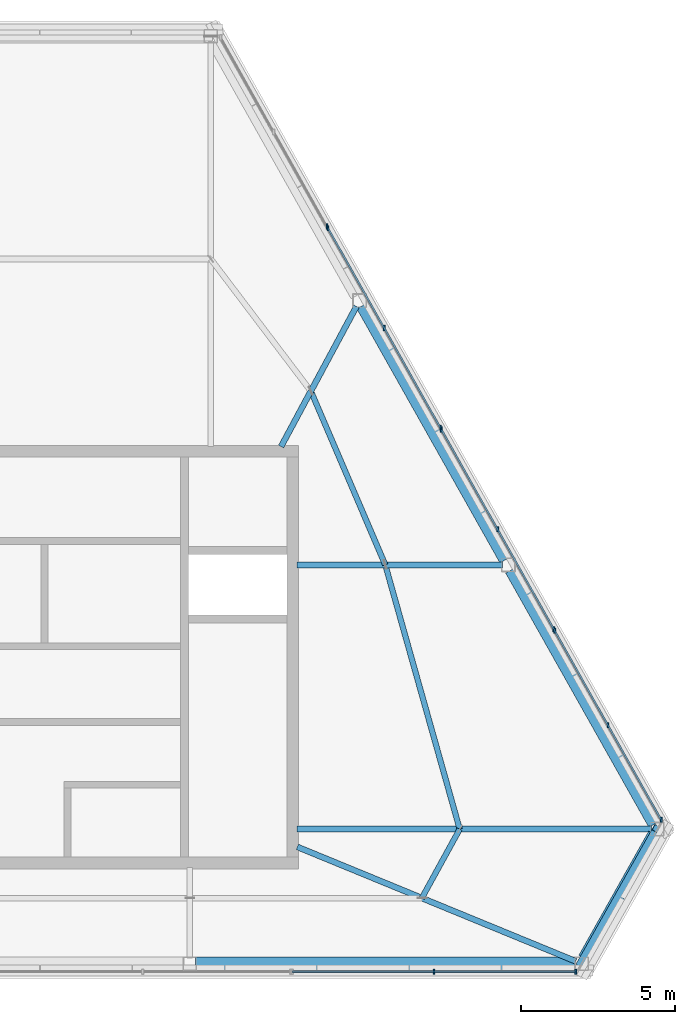
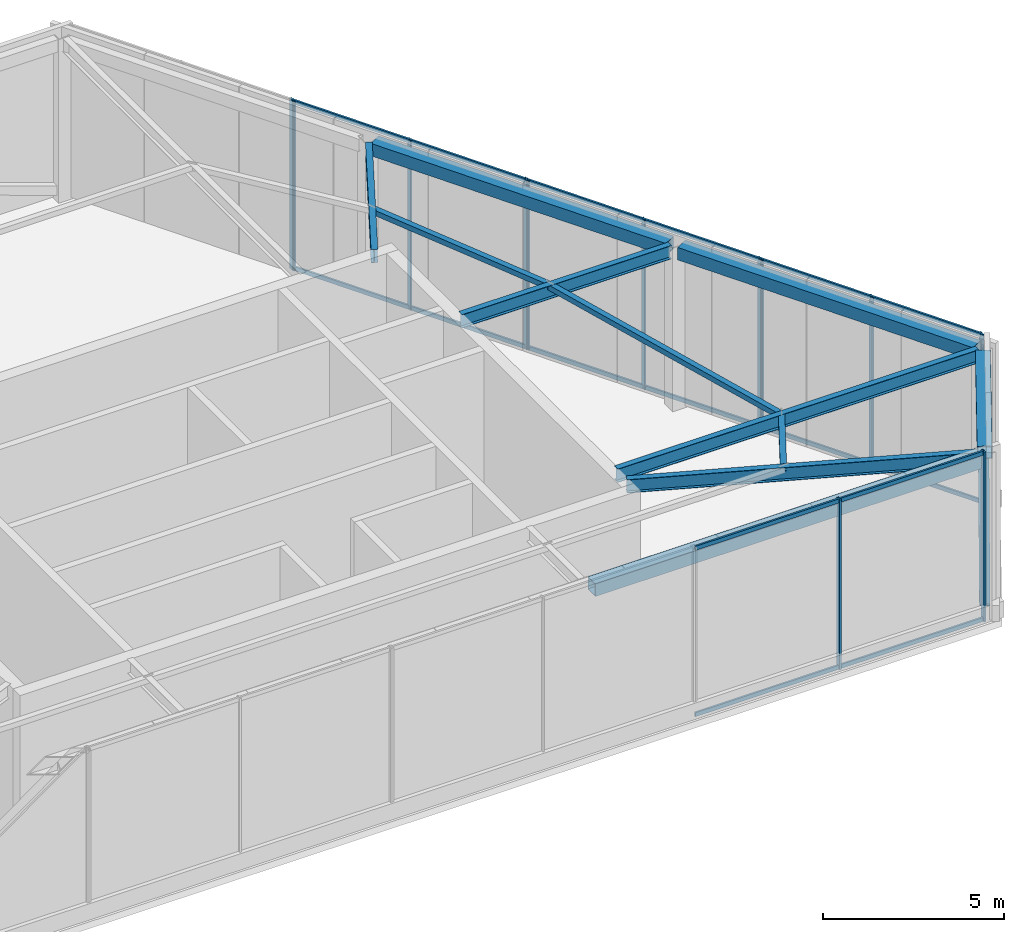
# One storey, part 5 of 12: 24 members, 8 beams, 5 elements without a shape of their own.
"""IFC4 building model written with IfcOpenShell, lengths in metres."""

from ifc_helpers import new_model, si_unit, direction, frame, origin, origin_2d, place, context, subcontext, project, spatial, rectangle, hollow_rectangle, i_section, extrude, material, layer, layer_set, material_profile, profile_set, type_object, element, aggregate, save


model = new_model("IFC4")

# Units and contexts
model_context = context("Model", 3, precision=1e-05, world=origin(), true_north=direction((0.0, 1.0)))
body_context = subcontext(model_context, "Body", "Model", "MODEL_VIEW")
ifc_project = project(units=[si_unit("LENGTHUNIT", "METRE"), si_unit("AREAUNIT", "SQUARE_METRE"), si_unit("VOLUMEUNIT", "CUBIC_METRE"), si_unit("PLANEANGLEUNIT", "RADIAN"), si_unit("MASSUNIT", "GRAM", prefix="KILO")], contexts=[model_context])

# Site, building, storey
site_placement = place(None, origin())
site = spatial("IfcSite", under=ifc_project, at=site_placement, CompositionType="ELEMENT")
building_placement = place(site_placement, origin())
building = spatial("IfcBuilding", under=site, at=building_placement, Name="Kavelnor Concourse Tower", CompositionType="ELEMENT")
storey_placement = place(building_placement, frame((0.0, 0.0, 315.699951171875)))
storey = spatial("IfcBuildingStorey", under=building, at=storey_placement, Name="L79", CompositionType="ELEMENT", Elevation=315.699951171875)

# Beams
ifc_material_1 = material(Name="Steel Grade 350", Category="steel")
ifc_material_profile_1 = material_profile(ifc_material_1, hollow_rectangle(XDim=0.419921875, YDim=0.419921875, WallThickness=0.02001953125, at=origin_2d()), Name="RHS 420x420x20")
ifc_profile_set_1 = profile_set([ifc_material_profile_1], Name="Steel Grade 350")
beam_type_1 = type_object("IfcBeamType", Name="BM-CROWN-CAP-420", PredefinedType="BEAM", material=ifc_profile_set_1)
beam_1_placement = place(storey_placement, frame((44.556396484375, 6.135009765625, 5.31005859375), z_axis=(1.0, 0.0, 0.0), x_axis=(0.0, 1.0, 0.0)))
element("IfcBeam", 1, at=beam_1_placement, inside=storey, type_object=beam_type_1, Name="L79 Crown Frame Cap Ring Beam 07", PredefinedType="BEAM", context=body_context, shape_type="SweptSolid", body=[
    extrude(hollow_rectangle(XDim=0.419921875, YDim=0.419921875, WallThickness=0.02001953125, at=origin_2d()), origin(), (0.0, 0.0, 1.0), 12.353271484375),
])
beam_2_placement = place(storey_placement, frame((57.19287109375, 6.300537109375, 5.31005859375), z_axis=(0.490715989154, 0.871319584302, 0.0), x_axis=(-0.871319584302, 0.490715989154, 0.0)))
element("IfcBeam", 2, at=beam_2_placement, inside=storey, type_object=beam_type_1, Name="L79 Crown Frame Cap Ring Beam 08", PredefinedType="BEAM", context=body_context, shape_type="SweptSolid", body=[
    extrude(hollow_rectangle(XDim=0.419921875, YDim=0.419921875, WallThickness=0.02001953125, at=origin_2d()), origin(), (0.0, 0.0, 1.0), 4.638427734375),
])
beam_3_placement = place(storey_placement, frame((59.468994140625, 10.673095703125, 5.31005859375), z_axis=(-0.490736882662, 0.871307817017, 0.0), x_axis=(-0.871307817017, -0.490736882662, 0.0)))
element("IfcBeam", 3, at=beam_3_placement, inside=storey, type_object=beam_type_1, Name="L79 Crown Frame Cap Ring Beam 09", PredefinedType="BEAM", context=body_context, shape_type="SweptSolid", body=[
    extrude(hollow_rectangle(XDim=0.419921875, YDim=0.419921875, WallThickness=0.02001953125, at=origin_2d()), origin(), (0.0, 0.0, 1.0), 9.478271484375),
])
beam_4_placement = place(storey_placement, frame((54.63134765625, 19.2626953125, 5.31005859375), z_axis=(-0.490747896448, 0.871301613755, 0.0), x_axis=(-0.871301613755, -0.490747896448, 0.0)))
element("IfcBeam", 4, at=beam_4_placement, inside=storey, type_object=beam_type_1, Name="L79 Crown Frame Cap Ring Beam 10", PredefinedType="BEAM", context=body_context, shape_type="SweptSolid", body=[
    extrude(hollow_rectangle(XDim=0.419921875, YDim=0.419921875, WallThickness=0.02001953125, at=origin_2d()), origin(), (0.0, 0.0, 1.0), 9.47802734375),
])
ifc_material_profile_2 = material_profile(ifc_material_1, i_section(OverallWidth=0.18994140625, OverallDepth=0.4541015625, WebThickness=0.008544921875, FlangeThickness=0.0126953125, at=origin_2d()), Name="460UB67")
ifc_profile_set_2 = profile_set([ifc_material_profile_2], Name="Steel Grade 350")
beam_type_2 = type_object("IfcBeamType", Name="BM-PRIMARY-460", PredefinedType="BEAM", material=ifc_profile_set_2)
beam_5_placement = place(storey_placement, frame((47.863037109375, 9.930419921875, 5.29296875), z_axis=(0.924961076242, -0.380061846858, 0.0), x_axis=(0.380061846858, 0.924961076242, 0.0)))
element("IfcBeam", 5, at=beam_5_placement, inside=storey, type_object=beam_type_2, Name="L79 Crown Frame Radial Girder F1B6", PredefinedType="BEAM", context=body_context, shape_type="SweptSolid", body=[
    extrude(i_section(OverallWidth=0.18994140625, OverallDepth=0.4541015625, WebThickness=0.008544921875, FlangeThickness=0.0126953125, at=origin_2d()), origin(), (0.0, 0.0, 1.0), 9.78271484375),
])
beam_6_placement = place(storey_placement, frame((47.860107421875, 10.507568359375, 5.29296875), z_axis=(1.0, 0.0, 0.0), x_axis=(0.0, 1.0, 0.0)))
element("IfcBeam", 6, at=beam_6_placement, inside=storey, type_object=beam_type_2, Name="L79 Crown Frame Radial Girder F2B0", PredefinedType="BEAM", context=body_context, shape_type="SweptSolid", body=[
    extrude(i_section(OverallWidth=0.18994140625, OverallDepth=0.4541015625, WebThickness=0.008544921875, FlangeThickness=0.0126953125, at=origin_2d()), origin(), (0.0, 0.0, 1.0), 11.51708984375),
])
beam_7_placement = place(storey_placement, frame((47.860107421875, 19.09716796875, 5.29296875), z_axis=(1.0, 0.0, 0.0), x_axis=(0.0, 1.0, 0.0)))
element("IfcBeam", 7, at=beam_7_placement, inside=storey, type_object=beam_type_2, Name="L79 Crown Frame Radial Girder F2B2", PredefinedType="BEAM", context=body_context, shape_type="SweptSolid", body=[
    extrude(i_section(OverallWidth=0.18994140625, OverallDepth=0.4541015625, WebThickness=0.008544921875, FlangeThickness=0.0126953125, at=origin_2d()), origin(), (0.0, 0.0, 1.0), 6.679443359375),
])
beam_8_placement = place(storey_placement, frame((47.3359375, 22.94482421875, 5.29296875), z_axis=(0.473747703751, 0.880660611808, 0.0), x_axis=(-0.880660611808, 0.473747703751, 0.0)))
element("IfcBeam", 8, at=beam_8_placement, inside=storey, type_object=beam_type_2, Name="L79 Crown Frame Radial Girder F2B4", PredefinedType="BEAM", context=body_context, shape_type="SweptSolid", body=[
    extrude(i_section(OverallWidth=0.18994140625, OverallDepth=0.4541015625, WebThickness=0.008544921875, FlangeThickness=0.0126953125, at=origin_2d()), origin(), (0.0, 0.0, 1.0), 5.1689453125),
])

# Curtain wall, members
ifc_material_2 = material(Name="Anodised aluminium 6063-T6", Category="aluminium")
ifc_layer = layer(ifc_material_2, 0.1650390625, Name="Anodised aluminium 6063-T6")
ifc_layer_set = layer_set([ifc_layer], Name="Anodised aluminium 6063-T6")
curtain_wall_type = type_object("IfcCurtainWallType", Name="CW-CROWN-SCREEN", PredefinedType="NOTDEFINED", material=ifc_layer_set)
curtain_wall_1_placement = place(storey_placement, origin())
curtain_wall_1 = element("IfcCurtainWall", 9, at=curtain_wall_1_placement, inside=storey, type_object=curtain_wall_type, Name="L79 Crown Fritted Screen Curtain Wall E3-S4", PredefinedType="NOTDEFINED")
ifc_material_profile_3 = material_profile(ifc_material_2, rectangle(XDim=0.06005859375, YDim=0.1650390625, at=origin_2d()), Name="AL-MULL 60x165")
ifc_profile_set_3 = profile_set([ifc_material_profile_3], Name="Anodised aluminium 6063-T6")
member_type_1 = type_object("IfcMemberType", Name="CW-CROWN-SCREEN-MULL", PredefinedType="MULLION", material=ifc_profile_set_3)
member_1_placement = place(storey_placement, frame((52.30517578125, 5.875, 0.0), z_axis=(0.0, 0.0, 1.0), x_axis=(1.0, 0.0, 0.0)))
member_1 = element("IfcMember", 10, at=member_1_placement, type_object=member_type_1, Name="L79 Crown Fritted Screen Curtain Wall E3-S4 Mullion 1", PredefinedType="MULLION", context=body_context, shape_type="SweptSolid", body=[
    extrude(rectangle(XDim=0.06005859375, YDim=0.1650390625, at=origin_2d()), origin(), (0.0, 0.0, 1.0), 5.72998046875),
])
member_2_placement = place(storey_placement, frame((56.91015625, 5.875, 0.0), z_axis=(0.0, 0.0, 1.0), x_axis=(1.0, 0.0, 0.0)))
member_2 = element("IfcMember", 11, at=member_2_placement, type_object=member_type_1, Name="L79 Crown Fritted Screen Curtain Wall E3-S4 Mullion 2", PredefinedType="MULLION", context=body_context, shape_type="SweptSolid", body=[
    extrude(rectangle(XDim=0.06005859375, YDim=0.1650390625, at=origin_2d()), origin(), (0.0, 0.0, 1.0), 5.72998046875),
])

curtain_wall_2_placement = place(storey_placement, origin())
curtain_wall_2 = element("IfcCurtainWall", 12, at=curtain_wall_2_placement, inside=storey, type_object=curtain_wall_type, Name="L79 Crown Fritted Screen Curtain Wall E5-S1", PredefinedType="NOTDEFINED")
member_3_placement = place(storey_placement, frame((59.69091796875, 10.80908203125, 0.0), z_axis=(0.0, 0.0, 1.0), x_axis=(1.0, 0.0, 0.0)))
member_3 = element("IfcMember", 13, at=member_3_placement, type_object=member_type_1, Name="L79 Crown Fritted Screen Curtain Wall E5-S1 Mullion 0", PredefinedType="MULLION", context=body_context, shape_type="SweptSolid", body=[
    extrude(rectangle(XDim=0.06005859375, YDim=0.1650390625, at=origin_2d()), origin(), (0.0, 0.0, 1.0), 5.72998046875),
])
member_4_placement = place(storey_placement, frame((57.960693359375, 13.881103515625, 0.0), z_axis=(0.0, 0.0, 1.0), x_axis=(1.0, 0.0, 0.0)))
member_4 = element("IfcMember", 14, at=member_4_placement, type_object=member_type_1, Name="L79 Crown Fritted Screen Curtain Wall E5-S1 Mullion 1", PredefinedType="MULLION", context=body_context, shape_type="SweptSolid", body=[
    extrude(rectangle(XDim=0.06005859375, YDim=0.1650390625, at=origin_2d()), origin(), (0.0, 0.0, 1.0), 5.72998046875),
])
member_5_placement = place(storey_placement, frame((56.23046875, 16.953125, 0.0), z_axis=(0.0, 0.0, 1.0), x_axis=(1.0, 0.0, 0.0)))
member_5 = element("IfcMember", 15, at=member_5_placement, type_object=member_type_1, Name="L79 Crown Fritted Screen Curtain Wall E5-S1 Mullion 2", PredefinedType="MULLION", context=body_context, shape_type="SweptSolid", body=[
    extrude(rectangle(XDim=0.06005859375, YDim=0.1650390625, at=origin_2d()), origin(), (0.0, 0.0, 1.0), 5.72998046875),
])

curtain_wall_3_placement = place(storey_placement, origin())
curtain_wall_3 = element("IfcCurtainWall", 16, at=curtain_wall_3_placement, inside=storey, type_object=curtain_wall_type, Name="L79 Crown Fritted Screen Curtain Wall E5-S2", PredefinedType="NOTDEFINED")
member_6_placement = place(storey_placement, frame((56.201171875, 17.00537109375, 0.0), z_axis=(0.0, 0.0, 1.0), x_axis=(1.0, 0.0, 0.0)))
member_6 = element("IfcMember", 17, at=member_6_placement, type_object=member_type_1, Name="L79 Crown Fritted Screen Curtain Wall E5-S2 Mullion 0", PredefinedType="MULLION", context=body_context, shape_type="SweptSolid", body=[
    extrude(rectangle(XDim=0.06005859375, YDim=0.1650390625, at=origin_2d()), origin(), (0.0, 0.0, 1.0), 5.72998046875),
])
member_7_placement = place(storey_placement, frame((54.372802734375, 20.251708984375, 0.0), z_axis=(0.0, 0.0, 1.0), x_axis=(1.0, 0.0, 0.0)))
member_7 = element("IfcMember", 18, at=member_7_placement, type_object=member_type_1, Name="L79 Crown Fritted Screen Curtain Wall E5-S2 Mullion 1", PredefinedType="MULLION", context=body_context, shape_type="SweptSolid", body=[
    extrude(rectangle(XDim=0.06005859375, YDim=0.1650390625, at=origin_2d()), origin(), (0.0, 0.0, 1.0), 5.72998046875),
])
member_8_placement = place(storey_placement, frame((52.54443359375, 23.497802734375, 0.0), z_axis=(0.0, 0.0, 1.0), x_axis=(1.0, 0.0, 0.0)))
member_8 = element("IfcMember", 19, at=member_8_placement, type_object=member_type_1, Name="L79 Crown Fritted Screen Curtain Wall E5-S2 Mullion 2", PredefinedType="MULLION", context=body_context, shape_type="SweptSolid", body=[
    extrude(rectangle(XDim=0.06005859375, YDim=0.1650390625, at=origin_2d()), origin(), (0.0, 0.0, 1.0), 5.72998046875),
])

curtain_wall_4_placement = place(storey_placement, origin())
curtain_wall_4 = element("IfcCurtainWall", 20, at=curtain_wall_4_placement, inside=storey, type_object=curtain_wall_type, Name="L79 Crown Fritted Screen Curtain Wall E5-S3", PredefinedType="NOTDEFINED")
member_9_placement = place(storey_placement, frame((52.514892578125, 23.550048828125, 0.0), z_axis=(0.0, 0.0, 1.0), x_axis=(1.0, 0.0, 0.0)))
member_9 = element("IfcMember", 21, at=member_9_placement, type_object=member_type_1, Name="L79 Crown Fritted Screen Curtain Wall E5-S3 Mullion 0", PredefinedType="MULLION", context=body_context, shape_type="SweptSolid", body=[
    extrude(rectangle(XDim=0.06005859375, YDim=0.1650390625, at=origin_2d()), origin(), (0.0, 0.0, 1.0), 5.72998046875),
])
member_10_placement = place(storey_placement, frame((50.686767578125, 26.79638671875, 0.0), z_axis=(0.0, 0.0, 1.0), x_axis=(1.0, 0.0, 0.0)))
member_10 = element("IfcMember", 22, at=member_10_placement, type_object=member_type_1, Name="L79 Crown Fritted Screen Curtain Wall E5-S3 Mullion 1", PredefinedType="MULLION", context=body_context, shape_type="SweptSolid", body=[
    extrude(rectangle(XDim=0.06005859375, YDim=0.1650390625, at=origin_2d()), origin(), (0.0, 0.0, 1.0), 5.72998046875),
])
member_11_placement = place(storey_placement, frame((48.8583984375, 30.04248046875, 0.0), z_axis=(0.0, 0.0, 1.0), x_axis=(1.0, 0.0, 0.0)))
member_11 = element("IfcMember", 23, at=member_11_placement, type_object=member_type_1, Name="L79 Crown Fritted Screen Curtain Wall E5-S3 Mullion 2", PredefinedType="MULLION", context=body_context, shape_type="SweptSolid", body=[
    extrude(rectangle(XDim=0.06005859375, YDim=0.1650390625, at=origin_2d()), origin(), (0.0, 0.0, 1.0), 5.72998046875),
])

# Curtain wall, member
curtain_wall_5_placement = place(storey_placement, origin())
curtain_wall_5 = element("IfcCurtainWall", 24, at=curtain_wall_5_placement, inside=storey, type_object=curtain_wall_type, Name="L79 Crown Fritted Screen Curtain Wall E5-S4", PredefinedType="NOTDEFINED")
member_12_placement = place(storey_placement, frame((48.828857421875, 30.0947265625, 0.0), z_axis=(0.0, 0.0, 1.0), x_axis=(1.0, 0.0, 0.0)))
member_12 = element("IfcMember", 25, at=member_12_placement, type_object=member_type_1, Name="L79 Crown Fritted Screen Curtain Wall E5-S4 Mullion 0", PredefinedType="MULLION", context=body_context, shape_type="SweptSolid", body=[
    extrude(rectangle(XDim=0.06005859375, YDim=0.1650390625, at=origin_2d()), origin(), (0.0, 0.0, 1.0), 5.72998046875),
])
aggregate(curtain_wall_5, [member_12])

# Member
ifc_material_profile_4 = material_profile(ifc_material_2, rectangle(XDim=0.06005859375, YDim=0.135009765625, at=origin_2d()), Name="AL-TRAN 60x135")
ifc_profile_set_4 = profile_set([ifc_material_profile_4], Name="Anodised aluminium 6063-T6")
member_type_2 = type_object("IfcMemberType", Name="CW-CROWN-SCREEN-TRAN", PredefinedType="USERDEFINED", material=ifc_profile_set_4)
member_13_placement = place(storey_placement, frame((47.7001953125, 5.875, 0.06005859375), z_axis=(1.0, 0.0, 0.0), x_axis=(0.0, 1.0, 0.0)))
member_13 = element("IfcMember", 26, at=member_13_placement, type_object=member_type_2, Name="L79 Crown Fritted Screen Curtain Wall E3-S4 Transom 0-BOT", ObjectType="TRANSOM", PredefinedType="USERDEFINED", context=body_context, shape_type="SweptSolid", body=[
    extrude(rectangle(XDim=0.06005859375, YDim=0.135009765625, at=origin_2d()), origin(), (0.0, 0.0, 1.0), 9.2099609375),
])

member_14_placement = place(storey_placement, frame((47.7001953125, 5.875, 5.670166015625), z_axis=(1.0, 0.0, 0.0), x_axis=(0.0, 1.0, 0.0)))
member_14 = element("IfcMember", 27, at=member_14_placement, type_object=member_type_2, Name="L79 Crown Fritted Screen Curtain Wall E3-S4 Transom 0-TOP", ObjectType="TRANSOM", PredefinedType="USERDEFINED", context=body_context, shape_type="SweptSolid", body=[
    extrude(rectangle(XDim=0.06005859375, YDim=0.135009765625, at=origin_2d()), origin(), (0.0, 0.0, 1.0), 9.2099609375),
])

aggregate(curtain_wall_1, [member_1, member_2, member_13, member_14])

member_15_placement = place(storey_placement, frame((59.69091796875, 10.80908203125, 0.06005859375), z_axis=(-0.49073786638, 0.871307262968, 0.0), x_axis=(-0.871307262968, -0.49073786638, 0.0)))
member_15 = element("IfcMember", 28, at=member_15_placement, type_object=member_type_2, Name="L79 Crown Fritted Screen Curtain Wall E5-S1 Transom 0-BOT", ObjectType="TRANSOM", PredefinedType="USERDEFINED", context=body_context, shape_type="SweptSolid", body=[
    extrude(rectangle(XDim=0.06005859375, YDim=0.135009765625, at=origin_2d()), origin(), (0.0, 0.0, 1.0), 7.051513671875),
])

member_16_placement = place(storey_placement, frame((59.69091796875, 10.80908203125, 5.670166015625), z_axis=(-0.49073786638, 0.871307262968, 0.0), x_axis=(-0.871307262968, -0.49073786638, 0.0)))
member_16 = element("IfcMember", 29, at=member_16_placement, type_object=member_type_2, Name="L79 Crown Fritted Screen Curtain Wall E5-S1 Transom 0-TOP", ObjectType="TRANSOM", PredefinedType="USERDEFINED", context=body_context, shape_type="SweptSolid", body=[
    extrude(rectangle(XDim=0.06005859375, YDim=0.135009765625, at=origin_2d()), origin(), (0.0, 0.0, 1.0), 7.051513671875),
])

aggregate(curtain_wall_2, [member_3, member_4, member_5, member_15, member_16])

member_17_placement = place(storey_placement, frame((56.201171875, 17.00537109375, 0.06005859375), z_axis=(-0.490744949201, 0.871303273742, 0.0), x_axis=(-0.871303273742, -0.490744949201, 0.0)))
member_17 = element("IfcMember", 30, at=member_17_placement, type_object=member_type_2, Name="L79 Crown Fritted Screen Curtain Wall E5-S2 Transom 0-BOT", ObjectType="TRANSOM", PredefinedType="USERDEFINED", context=body_context, shape_type="SweptSolid", body=[
    extrude(rectangle(XDim=0.06005859375, YDim=0.135009765625, at=origin_2d()), origin(), (0.0, 0.0, 1.0), 7.451416015625),
])

member_18_placement = place(storey_placement, frame((56.201171875, 17.00537109375, 5.670166015625), z_axis=(-0.490744949201, 0.871303273742, 0.0), x_axis=(-0.871303273742, -0.490744949201, 0.0)))
member_18 = element("IfcMember", 31, at=member_18_placement, type_object=member_type_2, Name="L79 Crown Fritted Screen Curtain Wall E5-S2 Transom 0-TOP", ObjectType="TRANSOM", PredefinedType="USERDEFINED", context=body_context, shape_type="SweptSolid", body=[
    extrude(rectangle(XDim=0.06005859375, YDim=0.135009765625, at=origin_2d()), origin(), (0.0, 0.0, 1.0), 7.451416015625),
])

aggregate(curtain_wall_3, [member_6, member_7, member_8, member_17, member_18])

member_19_placement = place(storey_placement, frame((52.514892578125, 23.550048828125, 0.06005859375), z_axis=(-0.490720074883, 0.871317283259, 0.0), x_axis=(-0.871317283259, -0.490720074883, 0.0)))
member_19 = element("IfcMember", 32, at=member_19_placement, type_object=member_type_2, Name="L79 Crown Fritted Screen Curtain Wall E5-S3 Transom 0-BOT", ObjectType="TRANSOM", PredefinedType="USERDEFINED", context=body_context, shape_type="SweptSolid", body=[
    extrude(rectangle(XDim=0.06005859375, YDim=0.135009765625, at=origin_2d()), origin(), (0.0, 0.0, 1.0), 7.451171875),
])

member_20_placement = place(storey_placement, frame((52.514892578125, 23.550048828125, 5.670166015625), z_axis=(-0.490720074883, 0.871317283259, 0.0), x_axis=(-0.871317283259, -0.490720074883, 0.0)))
member_20 = element("IfcMember", 33, at=member_20_placement, type_object=member_type_2, Name="L79 Crown Fritted Screen Curtain Wall E5-S3 Transom 0-TOP", ObjectType="TRANSOM", PredefinedType="USERDEFINED", context=body_context, shape_type="SweptSolid", body=[
    extrude(rectangle(XDim=0.06005859375, YDim=0.135009765625, at=origin_2d()), origin(), (0.0, 0.0, 1.0), 7.451171875),
])

aggregate(curtain_wall_4, [member_9, member_10, member_11, member_19, member_20])

# Members
ifc_material_profile_5 = material_profile(ifc_material_1, hollow_rectangle(XDim=0.300048828125, YDim=0.300048828125, WallThickness=0.01611328125, at=origin_2d()), Name="SHS 300x300x16")
ifc_profile_set_5 = profile_set([ifc_material_profile_5], Name="Steel Grade 350")
member_type_3 = type_object("IfcMemberType", Name="MBR-CROWN-BRACE-300", PredefinedType="BRACE", material=ifc_profile_set_5)
member_21_placement = place(storey_placement, frame((57.099609375, 6.135009765625, 0.300048828125), z_axis=(0.347285584994, 0.616623855184, 0.706518042001), x_axis=(-0.871312964664, 0.490727742857, 0.0)))
element("IfcMember", 34, at=member_21_placement, inside=storey, type_object=member_type_3, Name="L79 Crown Frame Diagonal Brace 08", PredefinedType="BRACE", context=body_context, shape_type="SweptSolid", body=[
    extrude(hollow_rectangle(XDim=0.300048828125, YDim=0.300048828125, WallThickness=0.01611328125, at=origin_2d()), origin(), (0.0, 0.0, 1.0), 7.091064453125),
])
ifc_material_profile_6 = material_profile(ifc_material_1, hollow_rectangle(XDim=0.179931640625, YDim=0.179931640625, WallThickness=0.010009765625, at=origin_2d()), Name="SHS 180x180x10")
ifc_profile_set_6 = profile_set([ifc_material_profile_6], Name="Steel Grade 350")
member_type_4 = type_object("IfcMemberType", Name="MBR-ROOF-PURLIN-180", PredefinedType="PURLIN", material=ifc_profile_set_6)
member_22_placement = place(storey_placement, frame((51.909912109375, 8.267578125, 5.429931640625), z_axis=(0.481680403632, 0.876346956837, 0.0), x_axis=(-0.876346956837, 0.481680403632, 0.0)))
element("IfcMember", 35, at=member_22_placement, inside=storey, type_object=member_type_4, Name="L79 Crown Roof Purlin 08", PredefinedType="PURLIN", context=body_context, shape_type="SweptSolid", body=[
    extrude(hollow_rectangle(XDim=0.179931640625, YDim=0.179931640625, WallThickness=0.010009765625, at=origin_2d()), origin(), (0.0, 0.0, 1.0), 2.55615234375),
])
member_23_placement = place(storey_placement, frame((53.14111328125, 10.507568359375, 5.429931640625), z_axis=(-0.271044258298, 0.96256688601, 0.0), x_axis=(-0.96256688601, -0.271044258298, 0.0)))
element("IfcMember", 36, at=member_23_placement, inside=storey, type_object=member_type_4, Name="L79 Crown Roof Purlin 09", PredefinedType="PURLIN", context=body_context, shape_type="SweptSolid", body=[
    extrude(hollow_rectangle(XDim=0.179931640625, YDim=0.179931640625, WallThickness=0.010009765625, at=origin_2d()), origin(), (0.0, 0.0, 1.0), 8.923583984375),
])
member_24_placement = place(storey_placement, frame((50.722412109375, 19.09716796875, 5.429931640625), z_axis=(-0.393799373167, 0.919196417363, 0.0), x_axis=(-0.919196417363, -0.393799373167, 0.0)))
element("IfcMember", 37, at=member_24_placement, inside=storey, type_object=member_type_4, Name="L79 Crown Roof Purlin 10", PredefinedType="PURLIN", context=body_context, shape_type="SweptSolid", body=[
    extrude(hollow_rectangle(XDim=0.179931640625, YDim=0.179931640625, WallThickness=0.010009765625, at=origin_2d()), origin(), (0.0, 0.0, 1.0), 6.142578125),
])

save(model, "model.ifc")
